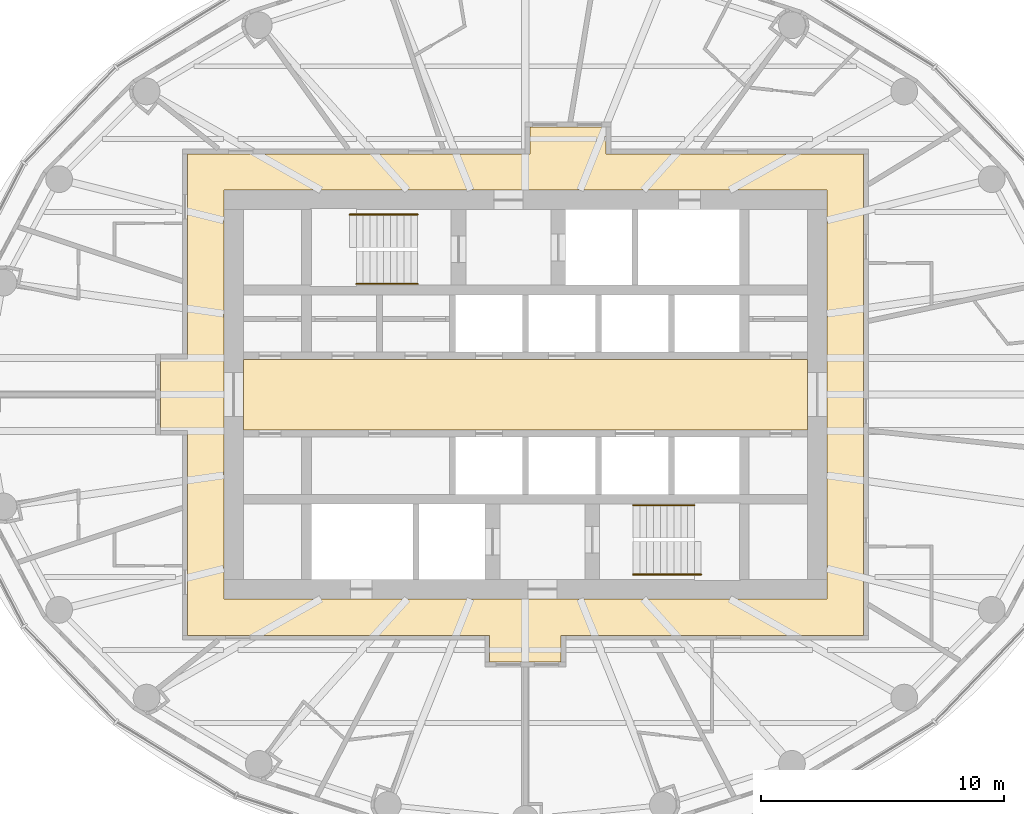
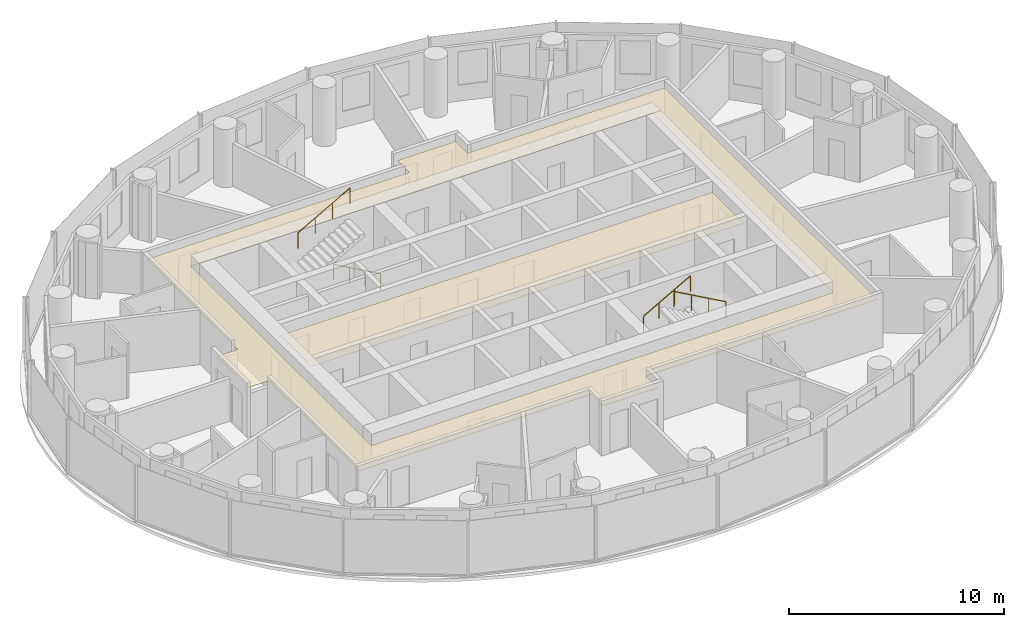
# One storey, part 13 of 13: 4 railings, 2 coverings.
"""IFC4 building model written with IfcOpenShell, lengths in metres."""

from ifc_helpers import new_model, si_unit, direction, frame, origin, origin_2d, place, context, subcontext, project, spatial, polyline, circle, outline, extrude, material, layer, layer_set, type_object, element, save


model = new_model("IFC4")

# Units and contexts
model_context = context("Model", 3, precision=1e-05, world=origin(), true_north=direction((0.0, 1.0)))
body_context = subcontext(model_context, "Body", "Model", "MODEL_VIEW")
ifc_project = project(units=[si_unit("LENGTHUNIT", "METRE"), si_unit("AREAUNIT", "SQUARE_METRE"), si_unit("VOLUMEUNIT", "CUBIC_METRE"), si_unit("PLANEANGLEUNIT", "RADIAN"), si_unit("MASSUNIT", "GRAM", prefix="KILO")], contexts=[model_context])

# Site, building, storey
site_placement = place(None, origin())
site = spatial("IfcSite", under=ifc_project, at=site_placement, CompositionType="ELEMENT")
building_placement = place(site_placement, origin())
building = spatial("IfcBuilding", under=site, at=building_placement, Name="Hankou Lantern Tower", CompositionType="ELEMENT")
storey_placement = place(building_placement, frame((0.0, 0.0, 156.60009765625)))
storey = spatial("IfcBuildingStorey", under=building, at=storey_placement, Name="L41", CompositionType="ELEMENT", Elevation=156.60009765625)

# Coverings
ifc_material_1 = material(Name="Black painted aluminium linear ceiling panels", Category="aluminium")
ifc_layer_1 = layer(ifc_material_1, 0.02490234375)
ifc_layer_set_1 = layer_set([ifc_layer_1], Name="Black painted aluminium linear ceiling panels")
covering_type_1 = type_object("IfcCoveringType", Name="CL1 CORRIDOR CEILING 25", PredefinedType="CEILING", material=ifc_layer_set_1)
covering_1_placement = place(storey_placement, frame((0.0, 0.0, 2.64501953125)))
element("IfcCovering", 1, at=covering_1_placement, inside=storey, type_object=covering_type_1, Name="Corridor ceiling L41", PredefinedType="CEILING", context=body_context, shape_type="SweptSolid", body=[
    extrude(outline(polyline([(1.469970703125, -11.0), (1.469970703125, -9.89990234375), (13.89990234375, -9.89990234375), (13.89990234375, 9.89990234375), (3.318115234375, 9.89990234375), (3.318115234375, 11.0), (0.194091796875, 11.0), (0.194091796875, 9.89990234375), (-13.89990234375, 9.89990234375), (-13.89990234375, 1.469970703125), (-15.0, 1.469970703125), (-15.0, -1.469970703125), (-13.89990234375, -1.469970703125), (-13.89990234375, -9.89990234375), (-1.469970703125, -9.89990234375), (-1.469970703125, -11.0), (1.469970703125, -11.0)]), holes=[polyline([(-12.39990234375, 8.39990234375), (12.39990234375, 8.39990234375), (12.39990234375, -8.39990234375), (-12.39990234375, -8.39990234375), (-12.39990234375, 8.39990234375)])]), origin(), (0.0, 0.0, 1.0), 0.02490234375),
])
ifc_material_2 = material(Name="Perforated black aluminium acoustic tray ceiling", Category="aluminium")
ifc_layer_2 = layer(ifc_material_2, 0.014892578125)
ifc_layer_set_2 = layer_set([ifc_layer_2], Name="Perforated black aluminium acoustic tray ceiling")
covering_type_2 = type_object("IfcCoveringType", Name="CL2 LIFT LOBBY CEILING 15", PredefinedType="CEILING", material=ifc_layer_set_2)
covering_2_placement = place(storey_placement, frame((0.0, 0.0, 2.65478515625)))
element("IfcCovering", 2, at=covering_2_placement, inside=storey, type_object=covering_type_2, Name="Lift lobby ceiling L41", PredefinedType="CEILING", context=body_context, shape_type="SweptSolid", body=[
    extrude(outline(polyline([(-11.60009765625, -1.449951171875), (11.60009765625, -1.449951171875), (11.60009765625, 1.449951171875), (-11.60009765625, 1.449951171875), (-11.60009765625, -1.449951171875)])), origin(), (0.0, 0.0, 1.0), 0.01513671875),
])

# Railings
ifc_material_3 = material(Name="Steel handrail", Category="steel")
railing_type = type_object("IfcRailingType", Name="HR1 STAIR HANDRAIL", PredefinedType="HANDRAIL", material=ifc_material_3)
railing_1_placement = place(storey_placement, frame((-4.429931640625, 4.550048828125, 0.89990234375)))
element("IfcRailing", 3, at=railing_1_placement, inside=storey, type_object=railing_type, Name="Handrail stair STA L41 flight 1", PredefinedType="HANDRAIL", context=body_context, shape_type="SweptSolid", body=[
    extrude(circle(Radius=0.02392578125, at=origin_2d()), frame((0.0, 0.0, 0.8759765625), z_axis=(-0.872048945198, 0.0, 0.489418672692), x_axis=(0.0, -1.0, 0.0)), (0.0, 0.0, 1.0), 2.8896484375),
    extrude(circle(Radius=0.02099609375, at=origin_2d()), origin(), (0.0, 0.0, 1.0), 0.851806640625),
    extrude(circle(Radius=0.02099609375, at=origin_2d()), frame((-0.840087890625, 0.0, 0.471435546875)), (0.0, 0.0, 1.0), 0.851806640625),
    extrude(circle(Radius=0.02099609375, at=origin_2d()), frame((-1.679931640625, 0.0, 0.94287109375)), (0.0, 0.0, 1.0), 0.851806640625),
    extrude(circle(Radius=0.02099609375, at=origin_2d()), frame((-2.52001953125, 0.0, 1.414306640625)), (0.0, 0.0, 1.0), 0.851806640625),
])
railing_2_placement = place(storey_placement, frame((-7.22998046875, 7.39990234375, 2.471435546875)))
element("IfcRailing", 4, at=railing_2_placement, inside=storey, type_object=railing_type, Name="Handrail stair STA L41 flight 2", PredefinedType="HANDRAIL", context=body_context, shape_type="SweptSolid", body=[
    extrude(circle(Radius=0.02392578125, at=origin_2d()), frame((0.0, 0.0, 0.8759765625), z_axis=(0.872072602893, 0.0, 0.489376516891), x_axis=(0.0, 1.0, 0.0)), (0.0, 0.0, 1.0), 3.210693359375),
    extrude(circle(Radius=0.02099609375, at=origin_2d()), origin(), (0.0, 0.0, 1.0), 0.851806640625),
    extrude(circle(Radius=0.02099609375, at=origin_2d()), frame((0.933349609375, 0.0, 0.523681640625)), (0.0, 0.0, 1.0), 0.851806640625),
    extrude(circle(Radius=0.02099609375, at=origin_2d()), frame((1.86669921875, 0.0, 1.047607421875)), (0.0, 0.0, 1.0), 0.851806640625),
    extrude(circle(Radius=0.02099609375, at=origin_2d()), frame((2.800048828125, 0.0, 1.5712890625)), (0.0, 0.0, 1.0), 0.851806640625),
])
railing_3_placement = place(storey_placement, frame((4.429931640625, -4.550048828125, 0.89990234375)))
element("IfcRailing", 5, at=railing_3_placement, inside=storey, type_object=railing_type, Name="Handrail stair STB L41 flight 1", PredefinedType="HANDRAIL", context=body_context, shape_type="SweptSolid", body=[
    extrude(circle(Radius=0.02392578125, at=origin_2d()), frame((0.0, 0.0, 0.8759765625), z_axis=(0.872048945198, 0.0, 0.489418672692), x_axis=(0.0, 1.0, 0.0)), (0.0, 0.0, 1.0), 2.8896484375),
    extrude(circle(Radius=0.02099609375, at=origin_2d()), origin(), (0.0, 0.0, 1.0), 0.851806640625),
    extrude(circle(Radius=0.02099609375, at=origin_2d()), frame((0.840087890625, 0.0, 0.471435546875)), (0.0, 0.0, 1.0), 0.851806640625),
    extrude(circle(Radius=0.02099609375, at=origin_2d()), frame((1.679931640625, 0.0, 0.94287109375)), (0.0, 0.0, 1.0), 0.851806640625),
    extrude(circle(Radius=0.02099609375, at=origin_2d()), frame((2.52001953125, 0.0, 1.414306640625)), (0.0, 0.0, 1.0), 0.851806640625),
])
railing_4_placement = place(storey_placement, frame((7.22998046875, -7.39990234375, 2.471435546875)))
element("IfcRailing", 6, at=railing_4_placement, inside=storey, type_object=railing_type, Name="Handrail stair STB L41 flight 2", PredefinedType="HANDRAIL", context=body_context, shape_type="SweptSolid", body=[
    extrude(circle(Radius=0.02392578125, at=origin_2d()), frame((0.0, 0.0, 0.8759765625), z_axis=(-0.872072602893, 0.0, 0.489376516891), x_axis=(0.0, -1.0, 0.0)), (0.0, 0.0, 1.0), 3.210693359375),
    extrude(circle(Radius=0.02099609375, at=origin_2d()), origin(), (0.0, 0.0, 1.0), 0.851806640625),
    extrude(circle(Radius=0.02099609375, at=origin_2d()), frame((-0.933349609375, 0.0, 0.523681640625)), (0.0, 0.0, 1.0), 0.851806640625),
    extrude(circle(Radius=0.02099609375, at=origin_2d()), frame((-1.86669921875, 0.0, 1.047607421875)), (0.0, 0.0, 1.0), 0.851806640625),
    extrude(circle(Radius=0.02099609375, at=origin_2d()), frame((-2.800048828125, 0.0, 1.5712890625)), (0.0, 0.0, 1.0), 0.851806640625),
])

save(model, "model.ifc")
